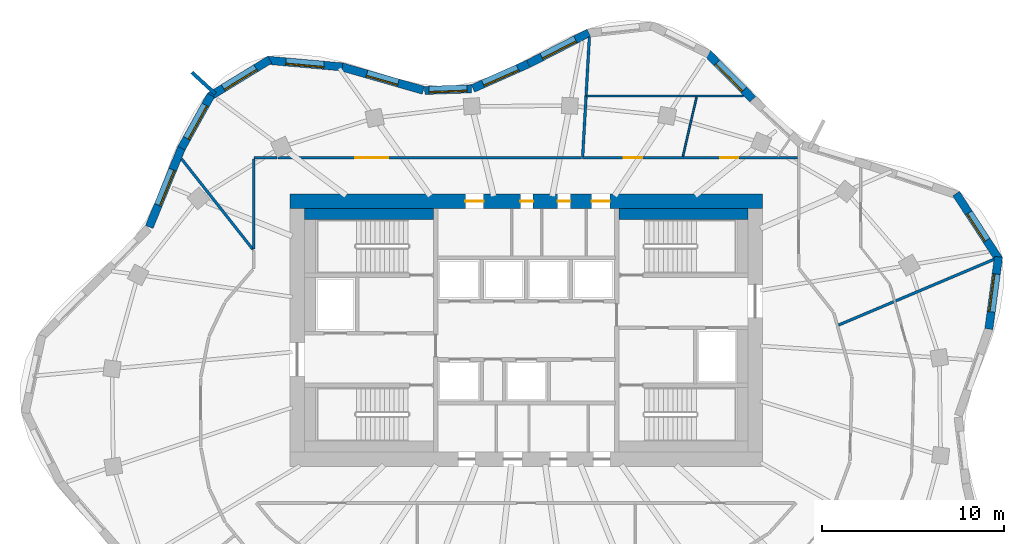
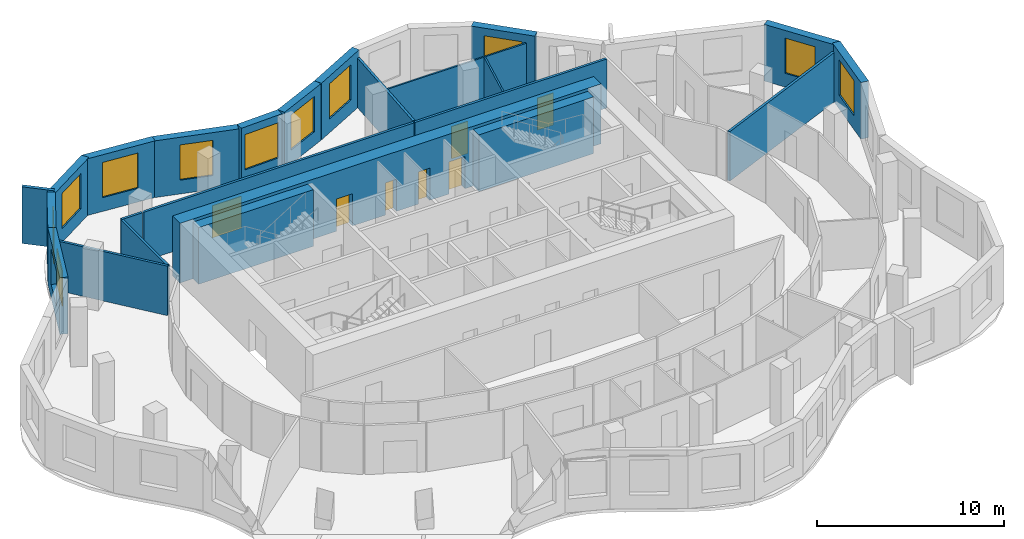
# One storey, part 7 of 9: 24 walls, 11 windows, 7 doors, 18 openings.
"""IFC4 building model written with IfcOpenShell, lengths in metres."""

from ifc_helpers import new_model, si_unit, direction, frame, frame_2d, origin, place, context, subcontext, project, spatial, rectangle, extrude, material, layer, layer_set, type_object, element, fill, save


model = new_model("IFC4")

# Units and contexts
model_context = context("Model", 3, precision=1e-05, world=origin(), true_north=direction((0.0, 1.0)))
body_context = subcontext(model_context, "Body", "Model", "MODEL_VIEW")
ifc_project = project(units=[si_unit("LENGTHUNIT", "METRE"), si_unit("AREAUNIT", "SQUARE_METRE"), si_unit("VOLUMEUNIT", "CUBIC_METRE"), si_unit("PLANEANGLEUNIT", "RADIAN"), si_unit("MASSUNIT", "GRAM", prefix="KILO")], contexts=[model_context])

# Site, building, storey
site_placement = place(None, origin())
site = spatial("IfcSite", under=ifc_project, at=site_placement, CompositionType="ELEMENT")
building_placement = place(site_placement, origin())
building = spatial("IfcBuilding", under=site, at=building_placement, Name="Rubra Terraces Tower", CompositionType="ELEMENT")
storey_placement = place(building_placement, frame((0.0, 0.0, 288.300048828125)))
storey = spatial("IfcBuildingStorey", under=building, at=storey_placement, Name="L71", CompositionType="ELEMENT", Elevation=288.300048828125)

# Wall, opening, window
ifc_material_1 = material(Name="Brick masonry red-brown", Category="masonry")
ifc_layer_1 = layer(ifc_material_1, 0.449951171875)
ifc_layer_set_1 = layer_set([ifc_layer_1], Name="Brick masonry red-brown")
wall_type_1 = type_object("IfcWallType", Name="Brick facade wall 450", PredefinedType="SOLIDWALL", material=ifc_layer_set_1)
wall_1_placement = place(storey_placement, frame((25.457275390625, 4.57470703125, 0.0), z_axis=(0.0, 0.0, 1.0), x_axis=(0.132475046402, 0.991186340746, 0.0)))
wall_1 = element("IfcWall", 1, at=wall_1_placement, inside=storey, type_object=wall_type_1, Name="Facade wall L71 bay 2", PredefinedType="SOLIDWALL", context=body_context, shape_type="SweptSolid", body=[
    extrude(rectangle(XDim=4.006591796875, YDim=0.449951171875, at=frame_2d((2.00341796875, 0.0))), origin(), (0.0, 0.0, 1.0), 3.699951171875),
])
opening_1_placement = place(wall_1_placement, frame((0.953125, 0.0, 0.89990234375)))
opening_1 = element("IfcOpeningElement", 2, at=opening_1_placement, cuts=wall_1, Name="Opening W1B", PredefinedType="OPENING", context=body_context, shape_type="SweptSolid", body=[
    extrude(rectangle(XDim=2.10009765625, YDim=2.300048828125, at=frame_2d((1.050048828125, 1.14990234375))), frame((0.0, 0.23486328125, 0.0), z_axis=(0.0, -1.0, 0.0), x_axis=(1.0, 0.0, 0.0)), (0.0, 0.0, 1.0), 0.469970703125),
])
ifc_material_2 = material(Name="Clear glass in aluminium frame", Category="aluminium")
window_type_1 = type_object("IfcWindowType", Name="Fixed deep-set window tall storey 2100 x 2300", PartitioningType="SINGLE_PANEL", PredefinedType="WINDOW", material=ifc_material_2)
window_1_placement = place(opening_1_placement, origin())
window_1 = element("IfcWindow", 3, at=window_1_placement, inside=storey, type_object=window_type_1, Name="Window L71 bay 2", OverallHeight=2.300048828125, OverallWidth=2.10009765625, PartitioningType="SINGLE_PANEL", PredefinedType="WINDOW", context=body_context, shape_type="SweptSolid", body=[
    extrude(rectangle(XDim=2.10009765625, YDim=2.300048828125, at=frame_2d((1.050048828125, 1.14990234375))), frame((0.0, 0.135009765625, 0.0), z_axis=(0.0, -1.0, 0.0), x_axis=(1.0, 0.0, 0.0)), (0.0, 0.0, 1.0), 0.06005859375),
])
fill(opening_1, window_1)

wall_2_placement = place(storey_placement, frame((26.0224609375, 8.393310546875, 0.0), z_axis=(0.0, 0.0, 1.0), x_axis=(-0.545637310328, 0.838021435035, 0.0)))
wall_2 = element("IfcWall", 4, at=wall_2_placement, inside=storey, type_object=wall_type_1, Name="Facade wall L71 bay 3", PredefinedType="SOLIDWALL", context=body_context, shape_type="SweptSolid", body=[
    extrude(rectangle(XDim=4.336181640625, YDim=0.449951171875, at=frame_2d((2.16796875, 0.0))), origin(), (0.0, 0.0, 1.0), 3.699951171875),
])
opening_2_placement = place(wall_2_placement, frame((1.268310546875, 0.0, 0.89990234375)))
opening_2 = element("IfcOpeningElement", 5, at=opening_2_placement, cuts=wall_2, Name="Opening W6B", PredefinedType="OPENING", context=body_context, shape_type="SweptSolid", body=[
    extrude(rectangle(XDim=1.800048828125, YDim=2.300048828125, at=frame_2d((0.89990234375, 1.14990234375))), frame((0.0, 0.23486328125, 0.0), z_axis=(0.0, -1.0, 0.0), x_axis=(1.0, 0.0, 0.0)), (0.0, 0.0, 1.0), 0.469970703125),
])
window_type_2 = type_object("IfcWindowType", Name="Fixed deep-set window at wind fin tall storey 1800 x 2300", PartitioningType="SINGLE_PANEL", PredefinedType="WINDOW", material=ifc_material_2)
window_2_placement = place(opening_2_placement, origin())
window_2 = element("IfcWindow", 6, at=window_2_placement, inside=storey, type_object=window_type_2, Name="Window L71 bay 3", OverallHeight=2.300048828125, OverallWidth=1.800048828125, PartitioningType="SINGLE_PANEL", PredefinedType="WINDOW", context=body_context, shape_type="SweptSolid", body=[
    extrude(rectangle(XDim=1.800048828125, YDim=2.300048828125, at=frame_2d((0.89990234375, 1.14990234375))), frame((0.0, 0.135009765625, 0.0), z_axis=(0.0, -1.0, 0.0), x_axis=(1.0, 0.0, 0.0)), (0.0, 0.0, 1.0), 0.06005859375),
])
fill(opening_2, window_2)

wall_3_placement = place(storey_placement, frame((12.46630859375, 17.2255859375, 0.0), z_axis=(0.0, 0.0, 1.0), x_axis=(-0.701875966769, 0.712299183821, 0.0)))
wall_3 = element("IfcWall", 7, at=wall_3_placement, inside=storey, type_object=wall_type_1, Name="Facade wall L71 bay 7", PredefinedType="SOLIDWALL", context=body_context, shape_type="SweptSolid", body=[
    extrude(rectangle(XDim=3.536865234375, YDim=0.449951171875, at=frame_2d((1.7685546875, 0.0))), origin(), (0.0, 0.0, 1.0), 3.699951171875),
])
opening_3_placement = place(wall_3_placement, frame((0.71826171875, 0.0, 0.89990234375)))
opening_3 = element("IfcOpeningElement", 8, at=opening_3_placement, cuts=wall_3, Name="Opening W1B", PredefinedType="OPENING", context=body_context, shape_type="SweptSolid", body=[
    extrude(rectangle(XDim=2.10009765625, YDim=2.300048828125, at=frame_2d((1.050048828125, 1.14990234375))), frame((0.0, 0.23486328125, 0.0), z_axis=(0.0, -1.0, 0.0), x_axis=(1.0, 0.0, 0.0)), (0.0, 0.0, 1.0), 0.469970703125),
])
window_3_placement = place(opening_3_placement, origin())
window_3 = element("IfcWindow", 9, at=window_3_placement, inside=storey, type_object=window_type_1, Name="Window L71 bay 7", OverallHeight=2.300048828125, OverallWidth=2.10009765625, PartitioningType="SINGLE_PANEL", PredefinedType="WINDOW", context=body_context, shape_type="SweptSolid", body=[
    extrude(rectangle(XDim=2.10009765625, YDim=2.300048828125, at=frame_2d((1.050048828125, 1.14990234375))), frame((0.0, 0.135009765625, 0.0), z_axis=(0.0, -1.0, 0.0), x_axis=(1.0, 0.0, 0.0)), (0.0, 0.0, 1.0), 0.06005859375),
])
fill(opening_3, window_3)

wall_4_placement = place(storey_placement, frame((3.439697265625, 20.879638671875, 0.0), z_axis=(0.0, 0.0, 1.0), x_axis=(-0.889471529144, -0.456990589446, 0.0)))
wall_4 = element("IfcWall", 10, at=wall_4_placement, inside=storey, type_object=wall_type_1, Name="Facade wall L71 bay 10", PredefinedType="SOLIDWALL", context=body_context, shape_type="SweptSolid", body=[
    extrude(rectangle(XDim=3.7353515625, YDim=0.449951171875, at=frame_2d((1.86767578125, 0.0))), origin(), (0.0, 0.0, 1.0), 3.699951171875),
])
opening_4_placement = place(wall_4_placement, frame((0.817626953125, 0.0, 0.89990234375)))
opening_4 = element("IfcOpeningElement", 11, at=opening_4_placement, cuts=wall_4, Name="Opening W1B", PredefinedType="OPENING", context=body_context, shape_type="SweptSolid", body=[
    extrude(rectangle(XDim=2.10009765625, YDim=2.300048828125, at=frame_2d((1.050048828125, 1.14990234375))), frame((0.0, 0.23486328125, 0.0), z_axis=(0.0, -1.0, 0.0), x_axis=(1.0, 0.0, 0.0)), (0.0, 0.0, 1.0), 0.469970703125),
])
window_4_placement = place(opening_4_placement, origin())
window_4 = element("IfcWindow", 12, at=window_4_placement, inside=storey, type_object=window_type_1, Name="Window L71 bay 10", OverallHeight=2.300048828125, OverallWidth=2.10009765625, PartitioningType="SINGLE_PANEL", PredefinedType="WINDOW", context=body_context, shape_type="SweptSolid", body=[
    extrude(rectangle(XDim=2.10009765625, YDim=2.300048828125, at=frame_2d((1.050048828125, 1.14990234375))), frame((0.0, 0.135009765625, 0.0), z_axis=(0.0, -1.0, 0.0), x_axis=(1.0, 0.0, 0.0)), (0.0, 0.0, 1.0), 0.06005859375),
])
fill(opening_4, window_4)

wall_5_placement = place(storey_placement, frame((0.105224609375, 19.1669921875, 0.0), z_axis=(0.0, 0.0, 1.0), x_axis=(-0.91414046241, -0.405397601109, 0.0)))
wall_5 = element("IfcWall", 13, at=wall_5_placement, inside=storey, type_object=wall_type_1, Name="Facade wall L71 bay 11", PredefinedType="SOLIDWALL", context=body_context, shape_type="SweptSolid", body=[
    extrude(rectangle(XDim=3.333251953125, YDim=0.449951171875, at=frame_2d((1.66650390625, 0.0))), origin(), (0.0, 0.0, 1.0), 3.699951171875),
])
opening_5_placement = place(wall_5_placement, frame((0.61669921875, 0.0, 0.89990234375)))
opening_5 = element("IfcOpeningElement", 14, at=opening_5_placement, cuts=wall_5, Name="Opening W1B", PredefinedType="OPENING", context=body_context, shape_type="SweptSolid", body=[
    extrude(rectangle(XDim=2.10009765625, YDim=2.300048828125, at=frame_2d((1.050048828125, 1.14990234375))), frame((0.0, 0.23486328125, 0.0), z_axis=(0.0, -1.0, 0.0), x_axis=(1.0, 0.0, 0.0)), (0.0, 0.0, 1.0), 0.469970703125),
])
window_5_placement = place(opening_5_placement, origin())
window_5 = element("IfcWindow", 15, at=window_5_placement, inside=storey, type_object=window_type_1, Name="Window L71 bay 11", OverallHeight=2.300048828125, OverallWidth=2.10009765625, PartitioningType="SINGLE_PANEL", PredefinedType="WINDOW", context=body_context, shape_type="SweptSolid", body=[
    extrude(rectangle(XDim=2.10009765625, YDim=2.300048828125, at=frame_2d((1.050048828125, 1.14990234375))), frame((0.0, 0.135009765625, 0.0), z_axis=(0.0, -1.0, 0.0), x_axis=(1.0, 0.0, 0.0)), (0.0, 0.0, 1.0), 0.06005859375),
])
fill(opening_5, window_5)

wall_6_placement = place(storey_placement, frame((-3.022216796875, 17.797607421875, 0.0), z_axis=(0.0, 0.0, 1.0), x_axis=(-0.999339560591, -0.036337895349, 0.0)))
wall_6 = element("IfcWall", 16, at=wall_6_placement, inside=storey, type_object=wall_type_1, Name="Facade wall L71 bay 12", PredefinedType="SOLIDWALL", context=body_context, shape_type="SweptSolid", body=[
    extrude(rectangle(XDim=2.5732421875, YDim=0.449951171875, at=frame_2d((1.28662109375, 0.0))), origin(), (0.0, 0.0, 1.0), 3.699951171875),
])
opening_6_placement = place(wall_6_placement, frame((0.236572265625, 0.0, 0.89990234375)))
opening_6 = element("IfcOpeningElement", 17, at=opening_6_placement, cuts=wall_6, Name="Opening W1B", PredefinedType="OPENING", context=body_context, shape_type="SweptSolid", body=[
    extrude(rectangle(XDim=2.10009765625, YDim=2.300048828125, at=frame_2d((1.050048828125, 1.14990234375))), frame((0.0, 0.23486328125, 0.0), z_axis=(0.0, -1.0, 0.0), x_axis=(1.0, 0.0, 0.0)), (0.0, 0.0, 1.0), 0.469970703125),
])
window_6_placement = place(opening_6_placement, origin())
window_6 = element("IfcWindow", 18, at=window_6_placement, inside=storey, type_object=window_type_1, Name="Window L71 bay 12", OverallHeight=2.300048828125, OverallWidth=2.10009765625, PartitioningType="SINGLE_PANEL", PredefinedType="WINDOW", context=body_context, shape_type="SweptSolid", body=[
    extrude(rectangle(XDim=2.10009765625, YDim=2.300048828125, at=frame_2d((1.050048828125, 1.14990234375))), frame((0.0, 0.135009765625, 0.0), z_axis=(0.0, -1.0, 0.0), x_axis=(1.0, 0.0, 0.0)), (0.0, 0.0, 1.0), 0.06005859375),
])
fill(opening_6, window_6)

wall_7_placement = place(storey_placement, frame((-5.6640625, 17.712646484375, 0.0), z_axis=(0.0, 0.0, 1.0), x_axis=(-0.961108031684, 0.276172684083, 0.0)))
wall_7 = element("IfcWall", 19, at=wall_7_placement, inside=storey, type_object=wall_type_1, Name="Facade wall L71 bay 13", PredefinedType="SOLIDWALL", context=body_context, shape_type="SweptSolid", body=[
    extrude(rectangle(XDim=4.686279296875, YDim=0.449951171875, at=frame_2d((2.34326171875, 0.0))), origin(), (0.0, 0.0, 1.0), 3.699951171875),
])
opening_7_placement = place(wall_7_placement, frame((1.443115234375, 0.0, 0.89990234375)))
opening_7 = element("IfcOpeningElement", 20, at=opening_7_placement, cuts=wall_7, Name="Opening W6B", PredefinedType="OPENING", context=body_context, shape_type="SweptSolid", body=[
    extrude(rectangle(XDim=1.800048828125, YDim=2.300048828125, at=frame_2d((0.89990234375, 1.14990234375))), frame((0.0, 0.23486328125, 0.0), z_axis=(0.0, -1.0, 0.0), x_axis=(1.0, 0.0, 0.0)), (0.0, 0.0, 1.0), 0.469970703125),
])
window_7_placement = place(opening_7_placement, origin())
window_7 = element("IfcWindow", 21, at=window_7_placement, inside=storey, type_object=window_type_2, Name="Window L71 bay 13", OverallHeight=2.300048828125, OverallWidth=1.800048828125, PartitioningType="SINGLE_PANEL", PredefinedType="WINDOW", context=body_context, shape_type="SweptSolid", body=[
    extrude(rectangle(XDim=1.800048828125, YDim=2.300048828125, at=frame_2d((0.89990234375, 1.14990234375))), frame((0.0, 0.135009765625, 0.0), z_axis=(0.0, -1.0, 0.0), x_axis=(1.0, 0.0, 0.0)), (0.0, 0.0, 1.0), 0.06005859375),
])
fill(opening_7, window_7)

wall_8_placement = place(storey_placement, frame((-10.125732421875, 18.9990234375, 0.0), z_axis=(0.0, 0.0, 1.0), x_axis=(-0.996031087117, 0.089006030672, 0.0)))
wall_8 = element("IfcWall", 22, at=wall_8_placement, inside=storey, type_object=wall_type_1, Name="Facade wall L71 bay 14", PredefinedType="SOLIDWALL", context=body_context, shape_type="SweptSolid", body=[
    extrude(rectangle(XDim=4.14453125, YDim=0.449951171875, at=frame_2d((2.072265625, 0.0))), origin(), (0.0, 0.0, 1.0), 3.699951171875),
])
opening_8_placement = place(wall_8_placement, frame((1.022216796875, 0.0, 0.89990234375)))
opening_8 = element("IfcOpeningElement", 23, at=opening_8_placement, cuts=wall_8, Name="Opening W1B", PredefinedType="OPENING", context=body_context, shape_type="SweptSolid", body=[
    extrude(rectangle(XDim=2.10009765625, YDim=2.300048828125, at=frame_2d((1.050048828125, 1.14990234375))), frame((0.0, 0.23486328125, 0.0), z_axis=(0.0, -1.0, 0.0), x_axis=(1.0, 0.0, 0.0)), (0.0, 0.0, 1.0), 0.469970703125),
])
window_8_placement = place(opening_8_placement, origin())
window_8 = element("IfcWindow", 24, at=window_8_placement, inside=storey, type_object=window_type_1, Name="Window L71 bay 14", OverallHeight=2.300048828125, OverallWidth=2.10009765625, PartitioningType="SINGLE_PANEL", PredefinedType="WINDOW", context=body_context, shape_type="SweptSolid", body=[
    extrude(rectangle(XDim=2.10009765625, YDim=2.300048828125, at=frame_2d((1.050048828125, 1.14990234375))), frame((0.0, 0.135009765625, 0.0), z_axis=(0.0, -1.0, 0.0), x_axis=(1.0, 0.0, 0.0)), (0.0, 0.0, 1.0), 0.06005859375),
])
fill(opening_8, window_8)

wall_9_placement = place(storey_placement, frame((-14.116455078125, 19.400146484375, 0.0), z_axis=(0.0, 0.0, 1.0), x_axis=(-0.852622865325, -0.522526793117, 0.0)))
wall_9 = element("IfcWall", 25, at=wall_9_placement, inside=storey, type_object=wall_type_1, Name="Facade wall L71 bay 15", PredefinedType="SOLIDWALL", context=body_context, shape_type="SweptSolid", body=[
    extrude(rectangle(XDim=3.896240234375, YDim=0.449951171875, at=frame_2d((1.9482421875, 0.0))), origin(), (0.0, 0.0, 1.0), 3.699951171875),
])
opening_9_placement = place(wall_9_placement, frame((0.898193359375, 0.0, 0.89990234375)))
opening_9 = element("IfcOpeningElement", 26, at=opening_9_placement, cuts=wall_9, Name="Opening W1B", PredefinedType="OPENING", context=body_context, shape_type="SweptSolid", body=[
    extrude(rectangle(XDim=2.10009765625, YDim=2.300048828125, at=frame_2d((1.050048828125, 1.14990234375))), frame((0.0, 0.23486328125, 0.0), z_axis=(0.0, -1.0, 0.0), x_axis=(1.0, 0.0, 0.0)), (0.0, 0.0, 1.0), 0.469970703125),
])
window_9_placement = place(opening_9_placement, origin())
window_9 = element("IfcWindow", 27, at=window_9_placement, inside=storey, type_object=window_type_1, Name="Window L71 bay 15", OverallHeight=2.300048828125, OverallWidth=2.10009765625, PartitioningType="SINGLE_PANEL", PredefinedType="WINDOW", context=body_context, shape_type="SweptSolid", body=[
    extrude(rectangle(XDim=2.10009765625, YDim=2.300048828125, at=frame_2d((1.050048828125, 1.14990234375))), frame((0.0, 0.135009765625, 0.0), z_axis=(0.0, -1.0, 0.0), x_axis=(1.0, 0.0, 0.0)), (0.0, 0.0, 1.0), 0.06005859375),
])
fill(opening_9, window_9)

wall_10_placement = place(storey_placement, frame((-17.359375, 17.44677734375, 0.0), z_axis=(0.0, 0.0, 1.0), x_axis=(-0.485618126214, -0.874171056197, 0.0)))
wall_10 = element("IfcWall", 28, at=wall_10_placement, inside=storey, type_object=wall_type_1, Name="Facade wall L71 bay 16", PredefinedType="SOLIDWALL", context=body_context, shape_type="SweptSolid", body=[
    extrude(rectangle(XDim=3.3427734375, YDim=0.449951171875, at=frame_2d((1.67138671875, 0.0))), origin(), (0.0, 0.0, 1.0), 3.699951171875),
])
opening_10_placement = place(wall_10_placement, frame((0.621337890625, 0.0, 0.89990234375)))
opening_10 = element("IfcOpeningElement", 29, at=opening_10_placement, cuts=wall_10, Name="Opening W1B", PredefinedType="OPENING", context=body_context, shape_type="SweptSolid", body=[
    extrude(rectangle(XDim=2.10009765625, YDim=2.300048828125, at=frame_2d((1.050048828125, 1.14990234375))), frame((0.0, 0.23486328125, 0.0), z_axis=(0.0, -1.0, 0.0), x_axis=(1.0, 0.0, 0.0)), (0.0, 0.0, 1.0), 0.469970703125),
])
window_10_placement = place(opening_10_placement, origin())
window_10 = element("IfcWindow", 30, at=window_10_placement, inside=storey, type_object=window_type_1, Name="Window L71 bay 16", OverallHeight=2.300048828125, OverallWidth=2.10009765625, PartitioningType="SINGLE_PANEL", PredefinedType="WINDOW", context=body_context, shape_type="SweptSolid", body=[
    extrude(rectangle(XDim=2.10009765625, YDim=2.300048828125, at=frame_2d((1.050048828125, 1.14990234375))), frame((0.0, 0.135009765625, 0.0), z_axis=(0.0, -1.0, 0.0), x_axis=(1.0, 0.0, 0.0)), (0.0, 0.0, 1.0), 0.06005859375),
])
fill(opening_10, window_10)

wall_11_placement = place(storey_placement, frame((-18.97119140625, 14.548828125, 0.0), z_axis=(0.0, 0.0, 1.0), x_axis=(-0.378434936431, -0.925627894398, 0.0)))
wall_11 = element("IfcWall", 31, at=wall_11_placement, inside=storey, type_object=wall_type_1, Name="Facade wall L71 bay 17", PredefinedType="SOLIDWALL", context=body_context, shape_type="SweptSolid", body=[
    extrude(rectangle(XDim=4.70751953125, YDim=0.449951171875, at=frame_2d((2.353759765625, 0.0))), origin(), (0.0, 0.0, 1.0), 3.699951171875),
])
opening_11_placement = place(wall_11_placement, frame((1.3037109375, 0.0, 0.89990234375)))
opening_11 = element("IfcOpeningElement", 32, at=opening_11_placement, cuts=wall_11, Name="Opening W1B", PredefinedType="OPENING", context=body_context, shape_type="SweptSolid", body=[
    extrude(rectangle(XDim=2.10009765625, YDim=2.300048828125, at=frame_2d((1.050048828125, 1.14990234375))), frame((0.0, 0.23486328125, 0.0), z_axis=(0.0, -1.0, 0.0), x_axis=(1.0, 0.0, 0.0)), (0.0, 0.0, 1.0), 0.469970703125),
])
window_11_placement = place(opening_11_placement, origin())
window_11 = element("IfcWindow", 33, at=window_11_placement, inside=storey, type_object=window_type_1, Name="Window L71 bay 17", OverallHeight=2.300048828125, OverallWidth=2.10009765625, PartitioningType="SINGLE_PANEL", PredefinedType="WINDOW", context=body_context, shape_type="SweptSolid", body=[
    extrude(rectangle(XDim=2.10009765625, YDim=2.300048828125, at=frame_2d((1.050048828125, 1.14990234375))), frame((0.0, 0.135009765625, 0.0), z_axis=(0.0, -1.0, 0.0), x_axis=(1.0, 0.0, 0.0)), (0.0, 0.0, 1.0), 0.06005859375),
])
fill(opening_11, window_11)

# Wall
ifc_layer_2 = layer(ifc_material_1, 0.199951171875)
ifc_layer_set_2 = layer_set([ifc_layer_2], Name="Brick masonry red-brown")
wall_type_2 = type_object("IfcWallType", Name="Brick wind fin 200", PredefinedType="SOLIDWALL", material=ifc_layer_set_2)
wall_12_placement = place(storey_placement, frame((-17.118896484375, 17.52294921875, 0.0), z_axis=(0.0, 0.0, 1.0), x_axis=(-0.737866019047, 0.674947211221, 0.0)))
element("IfcWall", 34, at=wall_12_placement, inside=storey, type_object=wall_type_2, Name="Wind fin L71 8", PredefinedType="SOLIDWALL", context=body_context, shape_type="SweptSolid", body=[
    extrude(rectangle(XDim=1.75, YDim=0.199951171875, at=frame_2d((0.875, 0.0))), origin(), (0.0, 0.0, 1.0), 3.699951171875),
])

# Wall, openings, doors
ifc_material_3 = material(Name="Concrete C50", Category="concrete")
ifc_layer_3 = layer(ifc_material_3, 0.800048828125)
ifc_layer_set_3 = layer_set([ifc_layer_3], Name="Concrete C50")
wall_type_3 = type_object("IfcWallType", Name="CORE WALL 800 C50", PredefinedType="SHEAR", material=ifc_layer_set_3)
wall_13_placement = place(storey_placement, frame((-13.0, 11.60009765625, 0.0), z_axis=(0.0, 0.0, 1.0), x_axis=(1.0, 0.0, 0.0)))
wall_13 = element("IfcWall", 35, at=wall_13_placement, inside=storey, type_object=wall_type_3, Name="CORE WALL N L71", PredefinedType="SHEAR", context=body_context, shape_type="SweptSolid", body=[
    extrude(rectangle(XDim=26.0, YDim=0.800048828125, at=frame_2d((13.0, 0.0))), origin(), (0.0, 0.0, 1.0), 3.89990234375),
])
opening_12_placement = place(wall_13_placement, frame((9.64990234375, 0.0, 0.0)))
opening_12 = element("IfcOpeningElement", 36, at=opening_12_placement, cuts=wall_13, Name="Opening L71.C25", PredefinedType="OPENING", context=body_context, shape_type="SweptSolid", body=[
    extrude(rectangle(XDim=1.0, YDim=2.10009765625, at=frame_2d((0.5, 1.050048828125))), frame((0.0, 0.409912109375, 0.0), z_axis=(0.0, -1.0, 0.0), x_axis=(1.0, 0.0, 0.0)), (0.0, 0.0, 1.0), 0.820068359375),
])
opening_13_placement = place(wall_13_placement, frame((12.675048828125, 0.0, 0.0)))
opening_13 = element("IfcOpeningElement", 37, at=opening_13_placement, cuts=wall_13, Name="Opening L71.C26", PredefinedType="OPENING", context=body_context, shape_type="SweptSolid", body=[
    extrude(rectangle(XDim=0.699951171875, YDim=2.10009765625, at=frame_2d((0.35009765625, 1.050048828125))), frame((0.0, 0.409912109375, 0.0), z_axis=(0.0, -1.0, 0.0), x_axis=(1.0, 0.0, 0.0)), (0.0, 0.0, 1.0), 0.820068359375),
])
opening_14_placement = place(wall_13_placement, frame((14.72509765625, 0.0, 0.0)))
opening_14 = element("IfcOpeningElement", 38, at=opening_14_placement, cuts=wall_13, Name="Opening L71.C27", PredefinedType="OPENING", context=body_context, shape_type="SweptSolid", body=[
    extrude(rectangle(XDim=0.699951171875, YDim=2.10009765625, at=frame_2d((0.35009765625, 1.050048828125))), frame((0.0, 0.409912109375, 0.0), z_axis=(0.0, -1.0, 0.0), x_axis=(1.0, 0.0, 0.0)), (0.0, 0.0, 1.0), 0.820068359375),
])
opening_15_placement = place(wall_13_placement, frame((16.60009765625, 0.0, 0.0)))
opening_15 = element("IfcOpeningElement", 39, at=opening_15_placement, cuts=wall_13, Name="Opening L71.C28", PredefinedType="OPENING", context=body_context, shape_type="SweptSolid", body=[
    extrude(rectangle(XDim=1.0, YDim=2.10009765625, at=frame_2d((0.5, 1.050048828125))), frame((0.0, 0.409912109375, 0.0), z_axis=(0.0, -1.0, 0.0), x_axis=(1.0, 0.0, 0.0)), (0.0, 0.0, 1.0), 0.820068359375),
])
ifc_material_4 = material(Name="Painted steel", Category="steel")
door_type_1 = type_object("IfcDoorType", Name="Fire door 1000x2100 single", OperationType="NOTDEFINED", PredefinedType="DOOR", material=ifc_material_4)
door_1_placement = place(opening_12_placement, origin())
door_1 = element("IfcDoor", 40, at=door_1_placement, inside=storey, type_object=door_type_1, Name="Tea point door", OperationType="SINGLE_SWING_LEFT", OverallHeight=2.10009765625, OverallWidth=1.0, PredefinedType="DOOR", context=body_context, shape_type="SweptSolid", body=[
    extrude(rectangle(XDim=1.0, YDim=2.10009765625, at=frame_2d((0.5, 1.050048828125))), frame((0.0, 0.02490234375, 0.0), z_axis=(0.0, -1.0, 0.0), x_axis=(1.0, 0.0, 0.0)), (0.0, 0.0, 1.0), 0.050048828125),
])
fill(opening_12, door_1)
door_2_placement = place(opening_15_placement, origin())
door_2 = element("IfcDoor", 41, at=door_2_placement, inside=storey, type_object=door_type_1, Name="General store door", OperationType="SINGLE_SWING_RIGHT", OverallHeight=2.10009765625, OverallWidth=1.0, PredefinedType="DOOR", context=body_context, shape_type="SweptSolid", body=[
    extrude(rectangle(XDim=1.0, YDim=2.10009765625, at=frame_2d((0.5, 1.050048828125))), frame((0.0, 0.02490234375, 0.0), z_axis=(0.0, -1.0, 0.0), x_axis=(1.0, 0.0, 0.0)), (0.0, 0.0, 1.0), 0.050048828125),
])
fill(opening_15, door_2)
door_type_2 = type_object("IfcDoorType", Name="Riser access door 700x2100 single", OperationType="NOTDEFINED", PredefinedType="DOOR", material=ifc_material_4)
door_3_placement = place(opening_13_placement, origin())
door_3 = element("IfcDoor", 42, at=door_3_placement, inside=storey, type_object=door_type_2, Name="Electrical riser room door", OperationType="SINGLE_SWING_RIGHT", OverallHeight=2.10009765625, OverallWidth=0.699951171875, PredefinedType="DOOR", context=body_context, shape_type="SweptSolid", body=[
    extrude(rectangle(XDim=0.699951171875, YDim=2.10009765625, at=frame_2d((0.35009765625, 1.050048828125))), frame((0.0, 0.02490234375, 0.0), z_axis=(0.0, -1.0, 0.0), x_axis=(1.0, 0.0, 0.0)), (0.0, 0.0, 1.0), 0.050048828125),
])
fill(opening_13, door_3)
door_4_placement = place(opening_14_placement, origin())
door_4 = element("IfcDoor", 43, at=door_4_placement, inside=storey, type_object=door_type_2, Name="Telecoms room door", OperationType="SINGLE_SWING_LEFT", OverallHeight=2.10009765625, OverallWidth=0.699951171875, PredefinedType="DOOR", context=body_context, shape_type="SweptSolid", body=[
    extrude(rectangle(XDim=0.699951171875, YDim=2.10009765625, at=frame_2d((0.35009765625, 1.050048828125))), frame((0.0, 0.02490234375, 0.0), z_axis=(0.0, -1.0, 0.0), x_axis=(1.0, 0.0, 0.0)), (0.0, 0.0, 1.0), 0.050048828125),
])
fill(opening_14, door_4)

ifc_material_5 = material(Name="Plasterboard on steel stud, mineral wool infill", Category="steel")
ifc_layer_4 = layer(ifc_material_5, 0.14990234375)
ifc_layer_set_4 = layer_set([ifc_layer_4], Name="Plasterboard on steel stud, mineral wool infill")
wall_type_4 = type_object("IfcWallType", Name="CORRIDOR PARTITION 150", PredefinedType="PARTITIONING", material=ifc_layer_set_4)
wall_14_placement = place(storey_placement, frame((14.925048828125, 14.0, 0.0), z_axis=(0.0, 0.0, 1.0), x_axis=(-1.0, 0.0, 0.0)))
wall_14 = element("IfcWall", 44, at=wall_14_placement, inside=storey, type_object=wall_type_4, Name="PARTITION", PredefinedType="PARTITIONING", context=body_context, shape_type="SweptSolid", body=[
    extrude(rectangle(XDim=11.8271484375, YDim=0.14990234375, at=frame_2d((5.91357421875, 0.0))), origin(), (0.0, 0.0, 1.0), 3.197998046875),
])
opening_16_placement = place(wall_14_placement, frame((3.25, 0.0, 0.0)))
opening_16 = element("IfcOpeningElement", 45, at=opening_16_placement, cuts=wall_14, Name="Opening 71-120", PredefinedType="OPENING", context=body_context, shape_type="SweptSolid", body=[
    extrude(rectangle(XDim=1.0, YDim=2.10009765625, at=frame_2d((0.5, 1.050048828125))), frame((0.0, 0.0849609375, 0.0), z_axis=(0.0, -1.0, 0.0), x_axis=(1.0, 0.0, 0.0)), (0.0, 0.0, 1.0), 0.169921875),
])
opening_17_placement = place(wall_14_placement, frame((8.550048828125, 0.0, 0.0)))
opening_17 = element("IfcOpeningElement", 46, at=opening_17_placement, cuts=wall_14, Name="Opening 71-121", PredefinedType="OPENING", context=body_context, shape_type="SweptSolid", body=[
    extrude(rectangle(XDim=1.0, YDim=2.10009765625, at=frame_2d((0.5, 1.050048828125))), frame((0.0, 0.0849609375, 0.0), z_axis=(0.0, -1.0, 0.0), x_axis=(1.0, 0.0, 0.0)), (0.0, 0.0, 1.0), 0.169921875),
])
ifc_material_6 = material(Name="Painted timber door leaf", Category="wood")
door_type_3 = type_object("IfcDoorType", Name="ROOM DOOR 1000 X 2100", OperationType="SINGLE_SWING_LEFT", PredefinedType="DOOR", material=ifc_material_6)
door_5_placement = place(opening_16_placement, origin())
door_5 = element("IfcDoor", 47, at=door_5_placement, inside=storey, type_object=door_type_3, Name="DOOR 71-120", OperationType="SINGLE_SWING_RIGHT", OverallHeight=2.10009765625, OverallWidth=1.0, PredefinedType="DOOR", context=body_context, shape_type="SweptSolid", body=[
    extrude(rectangle(XDim=1.0, YDim=2.10009765625, at=frame_2d((0.5, 1.050048828125))), frame((0.0, 0.02490234375, 0.0), z_axis=(0.0, -1.0, 0.0), x_axis=(1.0, 0.0, 0.0)), (0.0, 0.0, 1.0), 0.050048828125),
])
fill(opening_16, door_5)
door_6_placement = place(opening_17_placement, origin())
door_6 = element("IfcDoor", 48, at=door_6_placement, inside=storey, type_object=door_type_3, Name="DOOR 71-121", OperationType="SINGLE_SWING_RIGHT", OverallHeight=2.10009765625, OverallWidth=1.0, PredefinedType="DOOR", context=body_context, shape_type="SweptSolid", body=[
    extrude(rectangle(XDim=1.0, YDim=2.10009765625, at=frame_2d((0.5, 1.050048828125))), frame((0.0, 0.02490234375, 0.0), z_axis=(0.0, -1.0, 0.0), x_axis=(1.0, 0.0, 0.0)), (0.0, 0.0, 1.0), 0.050048828125),
])
fill(opening_17, door_6)

# Wall, opening, door
wall_15_placement = place(storey_placement, frame((3.02294921875, 14.0, 0.0), z_axis=(0.0, 0.0, 1.0), x_axis=(-1.0, 0.0, 0.0)))
wall_15 = element("IfcWall", 49, at=wall_15_placement, inside=storey, type_object=wall_type_4, Name="PARTITION", PredefinedType="PARTITIONING", context=body_context, shape_type="SweptSolid", body=[
    extrude(rectangle(XDim=16.683837890625, YDim=0.14990234375, at=frame_2d((8.341796875, 0.0))), origin(), (0.0, 0.0, 1.0), 3.197998046875),
])
opening_18_placement = place(wall_15_placement, frame((10.6279296875, 0.0, 0.0)))
opening_18 = element("IfcOpeningElement", 50, at=opening_18_placement, cuts=wall_15, Name="Opening 71-112", PredefinedType="OPENING", context=body_context, shape_type="SweptSolid", body=[
    extrude(rectangle(XDim=1.800048828125, YDim=2.10009765625, at=frame_2d((0.89990234375, 1.050048828125))), frame((0.0, 0.0849609375, 0.0), z_axis=(0.0, -1.0, 0.0), x_axis=(1.0, 0.0, 0.0)), (0.0, 0.0, 1.0), 0.169921875),
])
ifc_material_7 = material(Name="Painted timber door leaf, double", Category="wood")
door_type_4 = type_object("IfcDoorType", Name="ROOM DOUBLE DOOR 1800 X 2100", OperationType="DOUBLE_DOOR_SINGLE_SWING", PredefinedType="DOOR", material=ifc_material_7)
door_7_placement = place(opening_18_placement, origin())
door_7 = element("IfcDoor", 51, at=door_7_placement, inside=storey, type_object=door_type_4, Name="DOOR 71-112", OperationType="DOUBLE_DOOR_SINGLE_SWING", OverallHeight=2.10009765625, OverallWidth=1.800048828125, PredefinedType="DOOR", context=body_context, shape_type="SweptSolid", body=[
    extrude(rectangle(XDim=1.800048828125, YDim=2.10009765625, at=frame_2d((0.89990234375, 1.050048828125))), frame((0.0, 0.02490234375, 0.0), z_axis=(0.0, -1.0, 0.0), x_axis=(1.0, 0.0, 0.0)), (0.0, 0.0, 1.0), 0.050048828125),
])
fill(opening_18, door_7)

# Walls
wall_16_placement = place(storey_placement, frame((-13.731689453125, 14.0, 0.0), z_axis=(0.0, 0.0, 1.0), x_axis=(-1.0, 0.0, 0.0)))
element("IfcWall", 52, at=wall_16_placement, inside=storey, type_object=wall_type_4, Name="PARTITION", PredefinedType="PARTITIONING", context=body_context, shape_type="SweptSolid", body=[
    extrude(rectangle(XDim=1.268310546875, YDim=0.14990234375, at=frame_2d((0.63427734375, 0.0))), origin(), (0.0, 0.0, 1.0), 3.197998046875),
])
wall_17_placement = place(storey_placement, frame((-15.0, 13.925048828125, 0.0), z_axis=(0.0, 0.0, 1.0), x_axis=(0.0, -1.0, 0.0)))
element("IfcWall", 53, at=wall_17_placement, inside=storey, type_object=wall_type_4, Name="PARTITION", PredefinedType="PARTITIONING", context=body_context, shape_type="SweptSolid", body=[
    extrude(rectangle(XDim=4.95703125, YDim=0.14990234375, at=frame_2d((2.478515625, 0.0))), origin(), (0.0, 0.0, 1.0), 3.197998046875),
])
ifc_material_8 = material(Name="Concrete C40", Category="concrete")
ifc_layer_5 = layer(ifc_material_8, 0.60009765625)
ifc_layer_set_5 = layer_set([ifc_layer_5], Name="Concrete C40")
wall_type_5 = type_object("IfcWallType", Name="Core lining wall 600 concrete", PredefinedType="SOLIDWALL", material=ifc_layer_set_5)
for number, where, z_axis, x_axis, name in (
    (54, (-12.199951171875, 10.89990234375, 0.0), (0.0, 0.0, 1.0), (1.0, 0.0, 0.0), "CORE LINING WALL L71"),
    (55, (12.199951171875, 10.89990234375, 0.0), (0.0, 0.0, 1.0), (-1.0, 0.0, 0.0), "CORE LINING WALL L71"),
):
    element("IfcWall", number, at=place(storey_placement, frame(where, z_axis=z_axis, x_axis=x_axis)), inside=storey, type_object=wall_type_5, Name=name, PredefinedType="SOLIDWALL", context=body_context, shape_type="SweptSolid", body=[
        extrude(rectangle(XDim=7.099853515625, YDim=0.60009765625, at=frame_2d((3.5498046875, 0.0))), origin(), (0.0, 0.0, 1.0), 3.699951171875),
    ])
ifc_material_9 = material(Name="Plasterboard on steel stud", Category="steel")
ifc_layer_6 = layer(ifc_material_9, 0.10009765625)
ifc_layer_set_6 = layer_set([ifc_layer_6], Name="Plasterboard on steel stud")
wall_type_6 = type_object("IfcWallType", Name="ROOM PARTITION 100", PredefinedType="PARTITIONING", material=ifc_layer_set_6)
wall_18_placement = place(storey_placement, frame((3.30859375, 17.39990234375, 0.0), z_axis=(0.0, 0.0, 1.0), x_axis=(1.0, 0.0, 0.0)))
element("IfcWall", 56, at=wall_18_placement, inside=storey, type_object=wall_type_6, Name="PARTITION", PredefinedType="PARTITIONING", context=body_context, shape_type="SweptSolid", body=[
    extrude(rectangle(XDim=8.64208984375, YDim=0.10009765625, at=frame_2d((4.321044921875, 0.0))), origin(), (0.0, 0.0, 1.0), 3.197998046875),
])
wall_19_placement = place(storey_placement, frame((8.618408203125, 14.072998046875, 0.0), z_axis=(0.0, 0.0, 1.0), x_axis=(0.224048430302, 0.974578011695, 0.0)))
element("IfcWall", 57, at=wall_19_placement, inside=storey, type_object=wall_type_6, Name="PARTITION", PredefinedType="PARTITIONING", context=body_context, shape_type="SweptSolid", body=[
    extrude(rectangle(XDim=3.36376953125, YDim=0.10009765625, at=frame_2d((1.681884765625, 0.0))), origin(), (0.0, 0.0, 1.0), 3.197998046875),
])
ifc_layer_7 = layer(ifc_material_9, 0.14990234375)
ifc_layer_set_7 = layer_set([ifc_layer_7], Name="Plasterboard on steel stud")
wall_type_7 = type_object("IfcWallType", Name="ROOM PARTITION 150", PredefinedType="PARTITIONING", material=ifc_layer_set_7)
wall_20_placement = place(storey_placement, frame((-18.97412109375, 13.9365234375, 0.0), z_axis=(0.0, 0.0, 1.0), x_axis=(0.618916821117, -0.785456535104, 0.0)))
element("IfcWall", 58, at=wall_20_placement, inside=storey, type_object=wall_type_7, Name="PARTITION", PredefinedType="PARTITIONING", context=body_context, shape_type="SweptSolid", body=[
    extrude(rectangle(XDim=6.34619140625, YDim=0.14990234375, at=frame_2d((3.173095703125, 0.0))), origin(), (0.0, 0.0, 1.0), 3.23388671875),
])
wall_21_placement = place(storey_placement, frame((25.738525390625, 8.408447265625, 0.0), z_axis=(0.0, 0.0, 1.0), x_axis=(-0.92106014218, -0.389420357052, 0.0)))
element("IfcWall", 59, at=wall_21_placement, inside=storey, type_object=wall_type_7, Name="PARTITION", PredefinedType="PARTITIONING", context=body_context, shape_type="SweptSolid", body=[
    extrude(rectangle(XDim=9.28369140625, YDim=0.14990234375, at=frame_2d((4.641845703125, 0.0))), origin(), (0.0, 0.0, 1.0), 3.23388671875),
])
wall_22_placement = place(storey_placement, frame((3.47021484375, 20.63818359375, 0.0), z_axis=(0.0, 0.0, 1.0), x_axis=(-0.055969858851, -0.998432458857, 0.0)))
element("IfcWall", 60, at=wall_22_placement, inside=storey, type_object=wall_type_7, Name="PARTITION", PredefinedType="PARTITIONING", context=body_context, shape_type="SweptSolid", body=[
    extrude(rectangle(XDim=6.573486328125, YDim=0.14990234375, at=frame_2d((3.28662109375, 0.0))), origin(), (0.0, 0.0, 1.0), 3.23388671875),
])

save(model, "model.ifc")
